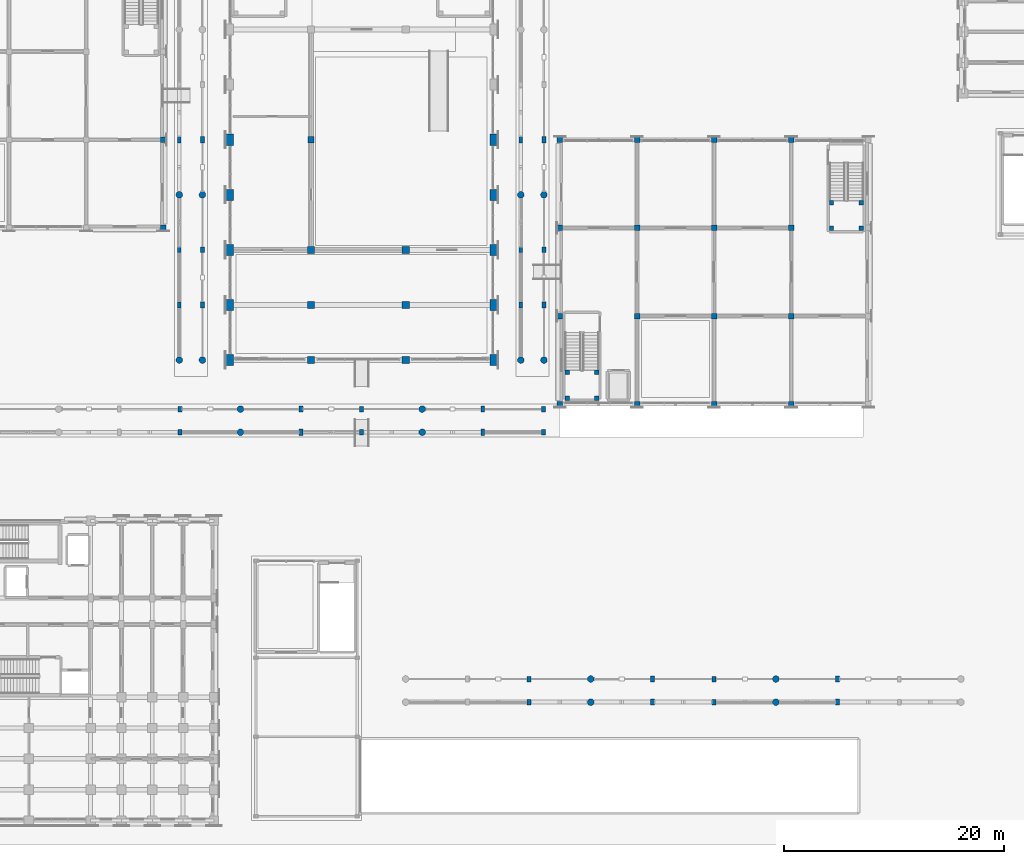
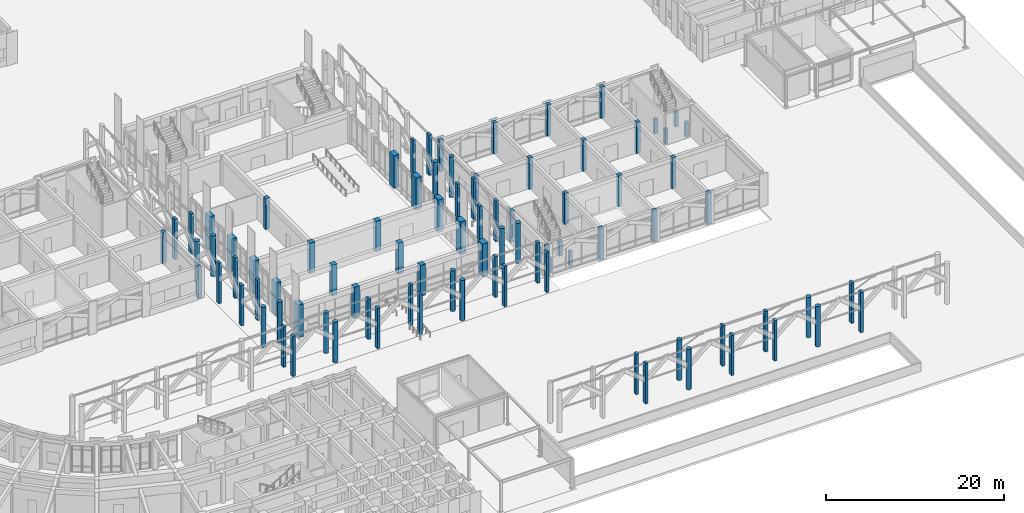
# One storey, part 6 of 135: 89 columns.
"""IFC4 building model written with IfcOpenShell, lengths in metres."""

from ifc_helpers import new_model, si_unit, direction, frame, origin, origin_2d, place, context, subcontext, project, spatial, rectangle, circle, extrude, material, material_profile, profile_set, type_object, element, save


model = new_model("IFC4")

# Units and contexts
model_context = context("Model", 3, precision=1e-05, world=origin(), true_north=direction((0.0, 1.0)))
body_context = subcontext(model_context, "Body", "Model", "MODEL_VIEW")
ifc_project = project(units=[si_unit("LENGTHUNIT", "METRE"), si_unit("AREAUNIT", "SQUARE_METRE"), si_unit("VOLUMEUNIT", "CUBIC_METRE"), si_unit("PLANEANGLEUNIT", "RADIAN"), si_unit("MASSUNIT", "GRAM", prefix="KILO")], contexts=[model_context])

# Site, building, storey
site_placement = place(None, origin())
site = spatial("IfcSite", under=ifc_project, at=site_placement, CompositionType="ELEMENT")
building_placement = place(site_placement, origin())
building = spatial("IfcBuilding", under=site, at=building_placement, Name="Kiranvali Square Residences", CompositionType="ELEMENT")
storey_placement = place(building_placement, origin())
storey = spatial("IfcBuildingStorey", under=building, at=storey_placement, Name="L00", CompositionType="ELEMENT", Elevation=0.0)

# Columns
ifc_material_1 = material(Name="Concrete M40 (40 MPa)", Category="concrete")
ifc_material_profile_1 = material_profile(ifc_material_1, rectangle(XDim=0.39990234375, YDim=0.39990234375, at=origin_2d()), Name="RC 400x400")
ifc_profile_set_1 = profile_set([ifc_material_profile_1], Name="Concrete M40 (40 MPa)")
column_type_1 = type_object("IfcColumnType", Name="COL-M40-400", PredefinedType="COLUMN", material=ifc_profile_set_1)
for number, where, z_axis, x_axis, name in (
    (1, (102.64990234375, 40.550048828125, 0.0), (0.0, 0.0, 1.0), (1.0, 0.0, 0.0), "ST-RT1 mid-landing support column 1"),
    (2, (105.35009765625, 40.550048828125, 0.0), (0.0, 0.0, 1.0), (1.0, 0.0, 0.0), "ST-RT1 mid-landing support column 2"),
    (3, (102.64990234375, 42.8798828125, 0.0), (0.0, 0.0, 1.0), (1.0, 0.0, 0.0), "ST-RT1 mid-landing support column 3"),
    (4, (105.35009765625, 42.8798828125, 0.0), (0.0, 0.0, 1.0), (1.0, 0.0, 0.0), "ST-RT1 mid-landing support column 4"),
    (5, (126.64990234375, 55.949951171875, 0.0), (0.0, 0.0, 1.0), (1.0, 0.0, 0.0), "ST-RT2 mid-landing support column 1"),
    (6, (129.35009765625, 55.949951171875, 0.0), (0.0, 0.0, 1.0), (1.0, 0.0, 0.0), "ST-RT2 mid-landing support column 2"),
    (7, (126.64990234375, 58.280029296875, 0.0), (0.0, 0.0, 1.0), (1.0, 0.0, 0.0), "ST-RT2 mid-landing support column 3"),
    (8, (129.35009765625, 58.280029296875, 0.0), (0.0, 0.0, 1.0), (1.0, 0.0, 0.0), "ST-RT2 mid-landing support column 4"),
):
    element("IfcColumn", number, at=place(storey_placement, frame(where, z_axis=z_axis, x_axis=x_axis)), inside=storey, type_object=column_type_1, Name=name, PredefinedType="COLUMN", context=body_context, shape_type="SweptSolid", body=[
        extrude(rectangle(XDim=0.39990234375, YDim=0.39990234375, at=origin_2d()), origin(), (0.0, 0.0, 1.0), 2.050048828125),
    ])
ifc_material_profile_2 = material_profile(ifc_material_1, rectangle(XDim=0.5, YDim=0.5, at=origin_2d()), Name="RC 500x500")
ifc_profile_set_2 = profile_set([ifc_material_profile_2], Name="Concrete M40 (40 MPa)")
column_type_2 = type_object("IfcColumnType", Name="COL-M40-500", PredefinedType="COLUMN", material=ifc_profile_set_2)
for number, where, z_axis, x_axis, name in (
    (9, (66.0, 56.0, 0.0), (0.0, 0.0, 1.0), (1.0, 0.0, 0.0), "Nursery Pavilion L00 column 4-0"),
    (10, (66.0, 64.0, 0.0), (0.0, 0.0, 1.0), (1.0, 0.0, 0.0), "Nursery Pavilion L00 column 4-1"),
    (11, (102.0, 40.0, 0.0), (0.0, 0.0, 1.0), (1.0, 0.0, 0.0), "Southeast Square Retail Pavilion L00 column 0-0"),
    (12, (102.0, 48.0, 0.0), (0.0, 0.0, 1.0), (1.0, 0.0, 0.0), "Southeast Square Retail Pavilion L00 column 0-1"),
    (13, (102.0, 56.0, 0.0), (0.0, 0.0, 1.0), (1.0, 0.0, 0.0), "Southeast Square Retail Pavilion L00 column 0-2"),
    (14, (102.0, 64.0, 0.0), (0.0, 0.0, 1.0), (1.0, 0.0, 0.0), "Southeast Square Retail Pavilion L00 column 0-3"),
    (15, (109.0, 40.0, 0.0), (0.0, 0.0, 1.0), (1.0, 0.0, 0.0), "Southeast Square Retail Pavilion L00 column 1-0"),
    (16, (109.0, 48.0, 0.0), (0.0, 0.0, 1.0), (1.0, 0.0, 0.0), "Southeast Square Retail Pavilion L00 column 1-1"),
    (17, (109.0, 56.0, 0.0), (0.0, 0.0, 1.0), (1.0, 0.0, 0.0), "Southeast Square Retail Pavilion L00 column 1-2"),
    (18, (109.0, 64.0, 0.0), (0.0, 0.0, 1.0), (1.0, 0.0, 0.0), "Southeast Square Retail Pavilion L00 column 1-3"),
    (19, (116.0, 40.0, 0.0), (0.0, 0.0, 1.0), (1.0, 0.0, 0.0), "Southeast Square Retail Pavilion L00 column 2-0"),
    (20, (116.0, 48.0, 0.0), (0.0, 0.0, 1.0), (1.0, 0.0, 0.0), "Southeast Square Retail Pavilion L00 column 2-1"),
    (21, (116.0, 56.0, 0.0), (0.0, 0.0, 1.0), (1.0, 0.0, 0.0), "Southeast Square Retail Pavilion L00 column 2-2"),
    (22, (116.0, 64.0, 0.0), (0.0, 0.0, 1.0), (1.0, 0.0, 0.0), "Southeast Square Retail Pavilion L00 column 2-3"),
    (23, (123.0, 40.0, 0.0), (0.0, 0.0, 1.0), (1.0, 0.0, 0.0), "Southeast Square Retail Pavilion L00 column 3-0"),
    (24, (123.0, 48.0, 0.0), (0.0, 0.0, 1.0), (1.0, 0.0, 0.0), "Southeast Square Retail Pavilion L00 column 3-1"),
    (25, (123.0, 56.0, 0.0), (0.0, 0.0, 1.0), (1.0, 0.0, 0.0), "Southeast Square Retail Pavilion L00 column 3-2"),
    (26, (123.0, 64.0, 0.0), (0.0, 0.0, 1.0), (1.0, 0.0, 0.0), "Southeast Square Retail Pavilion L00 column 3-3"),
):
    element("IfcColumn", number, at=place(storey_placement, frame(where, z_axis=z_axis, x_axis=x_axis)), inside=storey, type_object=column_type_2, Name=name, PredefinedType="COLUMN", context=body_context, shape_type="SweptSolid", body=[
        extrude(rectangle(XDim=0.5, YDim=0.5, at=origin_2d()), origin(), (0.0, 0.0, 1.0), 4.280029296875),
    ])
ifc_material_profile_3 = material_profile(ifc_material_1, rectangle(XDim=0.550048828125, YDim=0.550048828125, at=origin_2d()), Name="RC 550x550")
ifc_profile_set_3 = profile_set([ifc_material_profile_3], Name="Concrete M40 (40 MPa)")
column_type_3 = type_object("IfcColumnType", Name="COL-M40-550", PredefinedType="COLUMN", material=ifc_profile_set_3)
column_placement = place(storey_placement, frame((79.39990234375, 64.0, 0.0), z_axis=(0.0, 0.0, 1.0), x_axis=(1.0, 0.0, 0.0)))
element("IfcColumn", 27, at=column_placement, inside=storey, type_object=column_type_3, Name="Community Hall walkway column mid", PredefinedType="COLUMN", context=body_context, shape_type="SweptSolid", body=[
    extrude(rectangle(XDim=0.550048828125, YDim=0.550048828125, at=origin_2d()), origin(), (0.0, 0.0, 1.0), 4.25),
])
ifc_material_2 = material(Name="Concrete M45 (45 MPa)", Category="concrete")
ifc_material_profile_4 = material_profile(ifc_material_2, rectangle(XDim=0.699951171875, YDim=1.0, at=origin_2d()), Name="RC 1000x700")
ifc_profile_set_4 = profile_set([ifc_material_profile_4], Name="Concrete M45 (45 MPa)")
column_type_4 = type_object("IfcColumnType", Name="COL-M45-1000x700", PredefinedType="COLUMN", material=ifc_profile_set_4)
for number, where, z_axis, x_axis, name in (
    (28, (72.0, 44.0, 0.0), (0.0, 0.0, 1.0), (1.0, 0.0, 0.0), "Community Hall buttressed pier W1 L00"),
    (29, (96.0, 44.0, 0.0), (0.0, 0.0, 1.0), (1.0, 0.0, 0.0), "Community Hall buttressed pier E1 L00"),
    (30, (72.0, 49.0, 0.0), (0.0, 0.0, 1.0), (1.0, 0.0, 0.0), "Community Hall buttressed pier W2 L00"),
    (31, (96.0, 49.0, 0.0), (0.0, 0.0, 1.0), (1.0, 0.0, 0.0), "Community Hall buttressed pier E2 L00"),
    (32, (72.0, 54.0, 0.0), (0.0, 0.0, 1.0), (1.0, 0.0, 0.0), "Community Hall buttressed pier W3 L00"),
    (33, (96.0, 54.0, 0.0), (0.0, 0.0, 1.0), (1.0, 0.0, 0.0), "Community Hall buttressed pier E3 L00"),
    (34, (72.0, 59.0, 0.0), (0.0, 0.0, 1.0), (1.0, 0.0, 0.0), "Community Hall buttressed pier W4 L00"),
    (35, (96.0, 59.0, 0.0), (0.0, 0.0, 1.0), (1.0, 0.0, 0.0), "Community Hall buttressed pier E4 L00"),
    (36, (72.0, 64.0, 0.0), (0.0, 0.0, 1.0), (1.0, 0.0, 0.0), "Community Hall buttressed pier W5 L00"),
    (37, (96.0, 64.0, 0.0), (0.0, 0.0, 1.0), (1.0, 0.0, 0.0), "Community Hall buttressed pier E5 L00"),
):
    element("IfcColumn", number, at=place(storey_placement, frame(where, z_axis=z_axis, x_axis=x_axis)), inside=storey, type_object=column_type_4, Name=name, PredefinedType="COLUMN", context=body_context, shape_type="SweptSolid", body=[
        extrude(rectangle(XDim=0.699951171875, YDim=1.0, at=origin_2d()), origin(), (0.0, 0.0, 1.0), 4.5),
    ])
ifc_material_profile_5 = material_profile(ifc_material_2, rectangle(XDim=0.64990234375, YDim=0.64990234375, at=origin_2d()), Name="RC 650x650")
ifc_profile_set_5 = profile_set([ifc_material_profile_5], Name="Concrete M45 (45 MPa)")
column_type_5 = type_object("IfcColumnType", Name="COL-M45-650", PredefinedType="COLUMN", material=ifc_profile_set_5)
for number, where, z_axis, x_axis, name in (
    (38, (79.39990234375, 44.0, 0.0), (0.0, 0.0, 1.0), (1.0, 0.0, 0.0), "Community Hall gallery support column 79.4-44.0"),
    (39, (88.0, 44.0, 0.0), (0.0, 0.0, 1.0), (1.0, 0.0, 0.0), "Community Hall gallery support column 88.0-44.0"),
    (40, (79.39990234375, 49.0, 0.0), (0.0, 0.0, 1.0), (1.0, 0.0, 0.0), "Community Hall gallery support column 79.4-49.0"),
    (41, (88.0, 49.0, 0.0), (0.0, 0.0, 1.0), (1.0, 0.0, 0.0), "Community Hall gallery support column 88.0-49.0"),
    (42, (79.39990234375, 54.0, 0.0), (0.0, 0.0, 1.0), (1.0, 0.0, 0.0), "Community Hall gallery support column 79.4-54.0"),
    (43, (88.0, 54.0, 0.0), (0.0, 0.0, 1.0), (1.0, 0.0, 0.0), "Community Hall gallery support column 88.0-54.0"),
):
    element("IfcColumn", number, at=place(storey_placement, frame(where, z_axis=z_axis, x_axis=x_axis)), inside=storey, type_object=column_type_5, Name=name, PredefinedType="COLUMN", context=body_context, shape_type="SweptSolid", body=[
        extrude(rectangle(XDim=0.64990234375, YDim=0.64990234375, at=origin_2d()), origin(), (0.0, 0.0, 1.0), 4.25),
    ])
ifc_material_profile_6 = material_profile(ifc_material_1, rectangle(XDim=0.35009765625, YDim=0.5, at=origin_2d()), Name="RC 500x350")
ifc_profile_set_6 = profile_set([ifc_material_profile_6], Name="Concrete M40 (40 MPa)")
column_type_6 = type_object("IfcColumnType", Name="PIL-M40-500x350", PredefinedType="PILASTER", material=ifc_profile_set_6)
for number, where, z_axis, x_axis, name in (
    (44, (99.199951171875, 12.949951171875, 0.0), (0.0, 0.0, 1.0), (1.0, 0.0, 0.0), "Ottoman pointed-arch colonnade pilaster ARC-SQ-S-3"),
    (45, (99.199951171875, 15.050048828125, 0.0), (0.0, 0.0, 1.0), (1.0, 0.0, 0.0), "Ottoman pointed-arch colonnade inner pilaster ARC-SQ-S-3B"),
    (46, (116.0, 12.949951171875, 0.0), (0.0, 0.0, 1.0), (1.0, 0.0, 0.0), "Ottoman pointed-arch colonnade pilaster ARC-SQ-S-6"),
    (47, (116.0, 15.050048828125, 0.0), (0.0, 0.0, 1.0), (1.0, 0.0, 0.0), "Ottoman pointed-arch colonnade inner pilaster ARC-SQ-S-6B"),
    (48, (67.5, 37.449951171875, 0.0), (0.0, 0.0, 1.0), (1.0, 0.0, 0.0), "Ottoman pointed-arch colonnade pilaster ARC-GDN-S-6"),
    (49, (67.5, 39.550048828125, 0.0), (0.0, 0.0, 1.0), (1.0, 0.0, 0.0), "Ottoman pointed-arch colonnade inner pilaster ARC-GDN-S-6B"),
    (50, (84.0, 37.449951171875, 0.0), (0.0, 0.0, 1.0), (1.0, 0.0, 0.0), "Ottoman pointed-arch colonnade pilaster ARC-GDN-S-9"),
    (51, (84.0, 39.550048828125, 0.0), (0.0, 0.0, 1.0), (1.0, 0.0, 0.0), "Ottoman pointed-arch colonnade inner pilaster ARC-GDN-S-9B"),
    (52, (100.5, 37.449951171875, 0.0), (0.0, 0.0, 1.0), (1.0, 0.0, 0.0), "Ottoman pointed-arch colonnade pilaster ARC-GDN-S-12"),
    (53, (100.5, 39.550048828125, 0.0), (0.0, 0.0, 1.0), (1.0, 0.0, 0.0), "Ottoman pointed-arch colonnade inner pilaster ARC-GDN-S-12B"),
    (54, (67.449951171875, 54.0, 0.0), (0.0, 0.0, 1.0), (1.0, 0.0, 0.0), "Ottoman pointed-arch colonnade pilaster ARC-GDN-W-3"),
    (55, (69.550048828125, 54.0, 0.0), (0.0, 0.0, 1.0), (1.0, 0.0, 0.0), "Ottoman pointed-arch colonnade inner pilaster ARC-GDN-W-3B"),
    (56, (98.449951171875, 54.0, 0.0), (0.0, 0.0, 1.0), (1.0, 0.0, 0.0), "Ottoman pointed-arch colonnade pilaster ARC-GDN-E-3"),
    (57, (100.550048828125, 54.0, 0.0), (0.0, 0.0, 1.0), (1.0, 0.0, 0.0), "Ottoman pointed-arch colonnade inner pilaster ARC-GDN-E-3B"),
):
    element("IfcColumn", number, at=place(storey_placement, frame(where, z_axis=z_axis, x_axis=x_axis)), inside=storey, type_object=column_type_6, Name=name, PredefinedType="PILASTER", context=body_context, shape_type="SweptSolid", body=[
        extrude(rectangle(XDim=0.35009765625, YDim=0.5, at=origin_2d()), origin(), (0.0, 0.0, 1.0), 5.56005859375),
    ])
ifc_material_profile_7 = material_profile(ifc_material_1, rectangle(XDim=0.35009765625, YDim=0.550048828125, at=origin_2d()), Name="RC 550x350")
ifc_profile_set_7 = profile_set([ifc_material_profile_7], Name="Concrete M40 (40 MPa)")
column_type_7 = type_object("IfcColumnType", Name="PIL-M40-550x350", PredefinedType="PILASTER", material=ifc_profile_set_7)
for number, where, z_axis, x_axis, name in (
    (58, (110.39990234375, 12.949951171875, 0.0), (0.0, 0.0, 1.0), (1.0, 0.0, 0.0), "Ottoman pointed-arch colonnade pilaster ARC-SQ-S-5"),
    (59, (110.39990234375, 15.050048828125, 0.0), (0.0, 0.0, 1.0), (1.0, 0.0, 0.0), "Ottoman pointed-arch colonnade inner pilaster ARC-SQ-S-5B"),
    (60, (127.199951171875, 12.949951171875, 0.0), (0.0, 0.0, 1.0), (1.0, 0.0, 0.0), "Ottoman pointed-arch colonnade pilaster ARC-SQ-S-8"),
    (61, (127.199951171875, 15.050048828125, 0.0), (0.0, 0.0, 1.0), (1.0, 0.0, 0.0), "Ottoman pointed-arch colonnade inner pilaster ARC-SQ-S-8B"),
    (62, (78.5, 37.449951171875, 0.0), (0.0, 0.0, 1.0), (1.0, 0.0, 0.0), "Ottoman pointed-arch colonnade pilaster ARC-GDN-S-8"),
    (63, (78.5, 39.550048828125, 0.0), (0.0, 0.0, 1.0), (1.0, 0.0, 0.0), "Ottoman pointed-arch colonnade inner pilaster ARC-GDN-S-8B"),
    (64, (95.0, 37.449951171875, 0.0), (0.0, 0.0, 1.0), (1.0, 0.0, 0.0), "Ottoman pointed-arch colonnade pilaster ARC-GDN-S-11"),
    (65, (95.0, 39.550048828125, 0.0), (0.0, 0.0, 1.0), (1.0, 0.0, 0.0), "Ottoman pointed-arch colonnade inner pilaster ARC-GDN-S-11B"),
    (66, (67.449951171875, 49.0, 0.0), (0.0, 0.0, 1.0), (1.0, 0.0, 0.0), "Ottoman pointed-arch colonnade pilaster ARC-GDN-W-2"),
    (67, (69.550048828125, 49.0, 0.0), (0.0, 0.0, 1.0), (1.0, 0.0, 0.0), "Ottoman pointed-arch colonnade inner pilaster ARC-GDN-W-2B"),
    (68, (67.449951171875, 64.0, 0.0), (0.0, 0.0, 1.0), (1.0, 0.0, 0.0), "Ottoman pointed-arch colonnade pilaster ARC-GDN-W-5"),
    (69, (69.550048828125, 64.0, 0.0), (0.0, 0.0, 1.0), (1.0, 0.0, 0.0), "Ottoman pointed-arch colonnade inner pilaster ARC-GDN-W-5B"),
    (70, (98.449951171875, 49.0, 0.0), (0.0, 0.0, 1.0), (1.0, 0.0, 0.0), "Ottoman pointed-arch colonnade pilaster ARC-GDN-E-2"),
    (71, (100.550048828125, 49.0, 0.0), (0.0, 0.0, 1.0), (1.0, 0.0, 0.0), "Ottoman pointed-arch colonnade inner pilaster ARC-GDN-E-2B"),
    (72, (98.449951171875, 64.0, 0.0), (0.0, 0.0, 1.0), (1.0, 0.0, 0.0), "Ottoman pointed-arch colonnade pilaster ARC-GDN-E-5"),
    (73, (100.550048828125, 64.0, 0.0), (0.0, 0.0, 1.0), (1.0, 0.0, 0.0), "Ottoman pointed-arch colonnade inner pilaster ARC-GDN-E-5B"),
):
    element("IfcColumn", number, at=place(storey_placement, frame(where, z_axis=z_axis, x_axis=x_axis)), inside=storey, type_object=column_type_7, Name=name, PredefinedType="PILASTER", context=body_context, shape_type="SweptSolid", body=[
        extrude(rectangle(XDim=0.35009765625, YDim=0.550048828125, at=origin_2d()), origin(), (0.0, 0.0, 1.0), 5.56005859375),
    ])
ifc_material_profile_8 = material_profile(ifc_material_1, circle(Radius=0.300048828125, at=origin_2d()), Name="RC-CIRC 600")
ifc_profile_set_8 = profile_set([ifc_material_profile_8], Name="Concrete M40 (40 MPa)")
column_type_8 = type_object("IfcColumnType", Name="PIL-M40-C600", PredefinedType="PILASTER", material=ifc_profile_set_8)
for number, where, z_axis, x_axis, name in (
    (74, (104.800048828125, 12.949951171875, 0.0), (0.0, 0.0, 1.0), (1.0, 0.0, 0.0), "Ottoman pointed-arch colonnade pilaster ARC-SQ-S-4"),
    (75, (104.800048828125, 15.050048828125, 0.0), (0.0, 0.0, 1.0), (1.0, 0.0, 0.0), "Ottoman pointed-arch colonnade inner pilaster ARC-SQ-S-4B"),
    (76, (121.60009765625, 12.949951171875, 0.0), (0.0, 0.0, 1.0), (1.0, 0.0, 0.0), "Ottoman pointed-arch colonnade pilaster ARC-SQ-S-7"),
    (77, (121.60009765625, 15.050048828125, 0.0), (0.0, 0.0, 1.0), (1.0, 0.0, 0.0), "Ottoman pointed-arch colonnade inner pilaster ARC-SQ-S-7B"),
    (78, (73.0, 37.449951171875, 0.0), (0.0, 0.0, 1.0), (1.0, 0.0, 0.0), "Ottoman pointed-arch colonnade pilaster ARC-GDN-S-7"),
    (79, (73.0, 39.550048828125, 0.0), (0.0, 0.0, 1.0), (1.0, 0.0, 0.0), "Ottoman pointed-arch colonnade inner pilaster ARC-GDN-S-7B"),
    (80, (89.5, 37.449951171875, 0.0), (0.0, 0.0, 1.0), (1.0, 0.0, 0.0), "Ottoman pointed-arch colonnade pilaster ARC-GDN-S-10"),
    (81, (89.5, 39.550048828125, 0.0), (0.0, 0.0, 1.0), (1.0, 0.0, 0.0), "Ottoman pointed-arch colonnade inner pilaster ARC-GDN-S-10B"),
    (82, (67.449951171875, 44.0, 0.0), (0.0, 0.0, 1.0), (1.0, 0.0, 0.0), "Ottoman pointed-arch colonnade pilaster ARC-GDN-W-1"),
    (83, (69.550048828125, 44.0, 0.0), (0.0, 0.0, 1.0), (1.0, 0.0, 0.0), "Ottoman pointed-arch colonnade inner pilaster ARC-GDN-W-1B"),
    (84, (67.449951171875, 59.0, 0.0), (0.0, 0.0, 1.0), (1.0, 0.0, 0.0), "Ottoman pointed-arch colonnade pilaster ARC-GDN-W-4"),
    (85, (69.550048828125, 59.0, 0.0), (0.0, 0.0, 1.0), (1.0, 0.0, 0.0), "Ottoman pointed-arch colonnade inner pilaster ARC-GDN-W-4B"),
    (86, (98.449951171875, 44.0, 0.0), (0.0, 0.0, 1.0), (1.0, 0.0, 0.0), "Ottoman pointed-arch colonnade pilaster ARC-GDN-E-1"),
    (87, (100.550048828125, 44.0, 0.0), (0.0, 0.0, 1.0), (1.0, 0.0, 0.0), "Ottoman pointed-arch colonnade inner pilaster ARC-GDN-E-1B"),
    (88, (98.449951171875, 59.0, 0.0), (0.0, 0.0, 1.0), (1.0, 0.0, 0.0), "Ottoman pointed-arch colonnade pilaster ARC-GDN-E-4"),
    (89, (100.550048828125, 59.0, 0.0), (0.0, 0.0, 1.0), (1.0, 0.0, 0.0), "Ottoman pointed-arch colonnade inner pilaster ARC-GDN-E-4B"),
):
    element("IfcColumn", number, at=place(storey_placement, frame(where, z_axis=z_axis, x_axis=x_axis)), inside=storey, type_object=column_type_8, Name=name, PredefinedType="PILASTER", context=body_context, shape_type="SweptSolid", body=[
        extrude(circle(Radius=0.300048828125, at=origin_2d()), origin(), (0.0, 0.0, 1.0), 5.56005859375),
    ])

save(model, "model.ifc")
